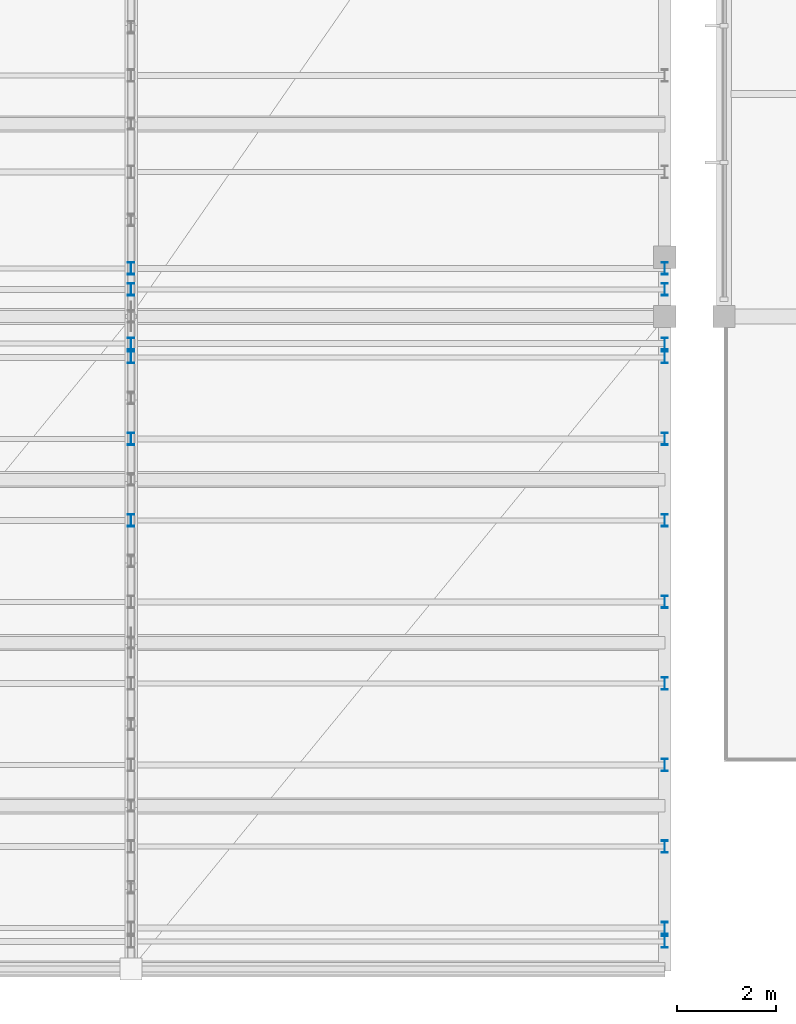
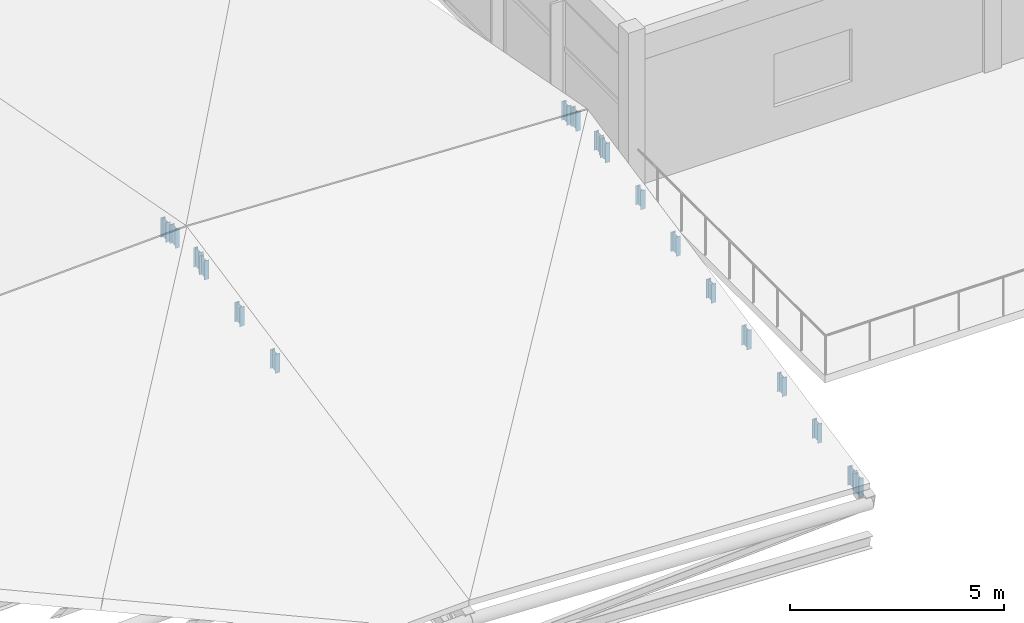
# One storey, part 53 of 89: 18 members.
"""IFC4 building model written with IfcOpenShell, lengths in metres."""

from ifc_helpers import new_model, si_unit, direction, frame, origin, origin_2d, place, context, subcontext, project, spatial, i_section, extrude, material, material_profile, profile_set, type_object, element, save


model = new_model("IFC4")

# Units and contexts
model_context = context("Model", 3, precision=1e-05, world=origin(), true_north=direction((0.0, 1.0)))
body_context = subcontext(model_context, "Body", "Model", "MODEL_VIEW")
ifc_project = project(units=[si_unit("LENGTHUNIT", "METRE"), si_unit("AREAUNIT", "SQUARE_METRE"), si_unit("VOLUMEUNIT", "CUBIC_METRE"), si_unit("PLANEANGLEUNIT", "RADIAN"), si_unit("MASSUNIT", "GRAM", prefix="KILO")], contexts=[model_context])

# Site, building, storey
site_placement = place(None, origin())
site = spatial("IfcSite", under=ifc_project, at=site_placement, CompositionType="ELEMENT")
building_placement = place(site_placement, origin())
building = spatial("IfcBuilding", under=site, at=building_placement, Name="Suirenkawa Promenade Aquatics Centre", CompositionType="ELEMENT")
storey_placement = place(building_placement, frame((0.0, 0.0, 9.60009765625)))
storey = spatial("IfcBuildingStorey", under=building, at=storey_placement, Name="L02", CompositionType="ELEMENT", Elevation=9.60009765625)

# Members
ifc_material = material(Name="Steel IS 2062 E350 (Grade 350)", Category="steel")
ifc_material_profile = material_profile(ifc_material, i_section(OverallWidth=0.125, OverallDepth=0.25, WebThickness=0.007080078125, FlangeThickness=0.012939453125, at=origin_2d()), Name="ISMB 250", Category="steel")
ifc_profile_set = profile_set([ifc_material_profile], Name="Steel IS 2062 E350 (Grade 350)")
member_type = type_object("IfcMemberType", Name="MT-WEB-CHS168", PredefinedType="BRACE", material=ifc_profile_set)
member_1_placement = place(storey_placement, frame((144.0, 9.074951171875, 1.391845703125), z_axis=(0.0, 0.0, 1.0), x_axis=(1.0, 0.0, 0.0)))
element("IfcMember", 1, at=member_1_placement, inside=storey, type_object=member_type, Name="ROOF TRUSS Purlin cleat post TD-03 MB-2838", PredefinedType="BRACE", context=body_context, shape_type="SweptSolid", body=[
    extrude(i_section(OverallWidth=0.125, OverallDepth=0.25, WebThickness=0.007080078125, FlangeThickness=0.012939453125, at=origin_2d()), origin(), (0.0, 0.0, 1.0), 0.5400390625),
])
member_2_placement = place(storey_placement, frame((144.0, 10.72509765625, 1.722900390625), z_axis=(0.0, 0.0, 1.0), x_axis=(1.0, 0.0, 0.0)))
element("IfcMember", 2, at=member_2_placement, inside=storey, type_object=member_type, Name="ROOF TRUSS Purlin cleat post TD-03 MB-2840", PredefinedType="BRACE", context=body_context, shape_type="SweptSolid", body=[
    extrude(i_section(OverallWidth=0.125, OverallDepth=0.25, WebThickness=0.007080078125, FlangeThickness=0.012939453125, at=origin_2d()), origin(), (0.0, 0.0, 1.0), 0.552001953125),
])
member_3_placement = place(storey_placement, frame((144.0, 12.375, 2.053955078125), z_axis=(0.0, 0.0, 1.0), x_axis=(1.0, 0.0, 0.0)))
element("IfcMember", 3, at=member_3_placement, inside=storey, type_object=member_type, Name="ROOF TRUSS Purlin cleat post TD-03 MB-2842", PredefinedType="BRACE", context=body_context, shape_type="SweptSolid", body=[
    extrude(i_section(OverallWidth=0.125, OverallDepth=0.25, WebThickness=0.007080078125, FlangeThickness=0.012939453125, at=origin_2d()), origin(), (0.0, 0.0, 1.0), 0.5400390625),
])
member_4_placement = place(storey_placement, frame((144.0, 12.64990234375, 2.10986328125), z_axis=(0.0, 0.0, 1.0), x_axis=(1.0, 0.0, 0.0)))
element("IfcMember", 4, at=member_4_placement, inside=storey, type_object=member_type, Name="ROOF TRUSS Purlin cleat post TD-03 MB-2844", PredefinedType="BRACE", context=body_context, shape_type="SweptSolid", body=[
    extrude(i_section(OverallWidth=0.125, OverallDepth=0.25, WebThickness=0.007080078125, FlangeThickness=0.012939453125, at=origin_2d()), origin(), (0.0, 0.0, 1.0), 0.552001953125),
])
member_5_placement = place(storey_placement, frame((144.0, 13.75, 2.115966796875), z_axis=(0.0, 0.0, 1.0), x_axis=(1.0, 0.0, 0.0)))
element("IfcMember", 5, at=member_5_placement, inside=storey, type_object=member_type, Name="ROOF TRUSS Purlin cleat post TD-03 MB-2846", PredefinedType="BRACE", context=body_context, shape_type="SweptSolid", body=[
    extrude(i_section(OverallWidth=0.125, OverallDepth=0.25, WebThickness=0.007080078125, FlangeThickness=0.012939453125, at=origin_2d()), origin(), (0.0, 0.0, 1.0), 0.541015625),
])
member_6_placement = place(storey_placement, frame((144.0, 14.175048828125, 2.035888671875), z_axis=(0.0, 0.0, 1.0), x_axis=(1.0, 0.0, 0.0)))
element("IfcMember", 6, at=member_6_placement, inside=storey, type_object=member_type, Name="ROOF TRUSS Purlin cleat post TD-03 MB-2848", PredefinedType="BRACE", context=body_context, shape_type="SweptSolid", body=[
    extrude(i_section(OverallWidth=0.125, OverallDepth=0.25, WebThickness=0.007080078125, FlangeThickness=0.012939453125, at=origin_2d()), origin(), (0.0, 0.0, 1.0), 0.552978515625),
])
member_7_placement = place(storey_placement, frame((154.800048828125, 0.550048828125, -0.77001953125), z_axis=(0.0, 0.0, 1.0), x_axis=(1.0, 0.0, 0.0)))
element("IfcMember", 7, at=member_7_placement, inside=storey, type_object=member_type, Name="ROOF TRUSS Purlin cleat post TD-03 MB-2866", PredefinedType="BRACE", context=body_context, shape_type="SweptSolid", body=[
    extrude(i_section(OverallWidth=0.125, OverallDepth=0.25, WebThickness=0.007080078125, FlangeThickness=0.012939453125, at=origin_2d()), origin(), (0.0, 0.0, 1.0), 0.552001953125),
])
member_8_placement = place(storey_placement, frame((154.800048828125, 0.824951171875, -0.714111328125), z_axis=(0.0, 0.0, 1.0), x_axis=(1.0, 0.0, 0.0)))
element("IfcMember", 8, at=member_8_placement, inside=storey, type_object=member_type, Name="ROOF TRUSS Purlin cleat post TD-03 MB-2868", PredefinedType="BRACE", context=body_context, shape_type="SweptSolid", body=[
    extrude(i_section(OverallWidth=0.125, OverallDepth=0.25, WebThickness=0.007080078125, FlangeThickness=0.012939453125, at=origin_2d()), origin(), (0.0, 0.0, 1.0), 0.5400390625),
])
member_9_placement = place(storey_placement, frame((154.800048828125, 2.47509765625, -0.383056640625), z_axis=(0.0, 0.0, 1.0), x_axis=(1.0, 0.0, 0.0)))
element("IfcMember", 9, at=member_9_placement, inside=storey, type_object=member_type, Name="ROOF TRUSS Purlin cleat post TD-03 MB-2870", PredefinedType="BRACE", context=body_context, shape_type="SweptSolid", body=[
    extrude(i_section(OverallWidth=0.125, OverallDepth=0.25, WebThickness=0.007080078125, FlangeThickness=0.012939453125, at=origin_2d()), origin(), (0.0, 0.0, 1.0), 0.552001953125),
])
member_10_placement = place(storey_placement, frame((154.800048828125, 4.125, -0.052001953125), z_axis=(0.0, 0.0, 1.0), x_axis=(1.0, 0.0, 0.0)))
element("IfcMember", 10, at=member_10_placement, inside=storey, type_object=member_type, Name="ROOF TRUSS Purlin cleat post TD-03 MB-2872", PredefinedType="BRACE", context=body_context, shape_type="SweptSolid", body=[
    extrude(i_section(OverallWidth=0.125, OverallDepth=0.25, WebThickness=0.007080078125, FlangeThickness=0.012939453125, at=origin_2d()), origin(), (0.0, 0.0, 1.0), 0.539794921875),
])
member_11_placement = place(storey_placement, frame((154.800048828125, 5.77490234375, 0.27880859375), z_axis=(0.0, 0.0, 1.0), x_axis=(1.0, 0.0, 0.0)))
element("IfcMember", 11, at=member_11_placement, inside=storey, type_object=member_type, Name="ROOF TRUSS Purlin cleat post TD-03 MB-2874", PredefinedType="BRACE", context=body_context, shape_type="SweptSolid", body=[
    extrude(i_section(OverallWidth=0.125, OverallDepth=0.25, WebThickness=0.007080078125, FlangeThickness=0.012939453125, at=origin_2d()), origin(), (0.0, 0.0, 1.0), 0.552001953125),
])
member_12_placement = place(storey_placement, frame((154.800048828125, 7.425048828125, 0.61083984375), z_axis=(0.0, 0.0, 1.0), x_axis=(1.0, 0.0, 0.0)))
element("IfcMember", 12, at=member_12_placement, inside=storey, type_object=member_type, Name="ROOF TRUSS Purlin cleat post TD-03 MB-2876", PredefinedType="BRACE", context=body_context, shape_type="SweptSolid", body=[
    extrude(i_section(OverallWidth=0.125, OverallDepth=0.25, WebThickness=0.007080078125, FlangeThickness=0.012939453125, at=origin_2d()), origin(), (0.0, 0.0, 1.0), 0.5400390625),
])
member_13_placement = place(storey_placement, frame((154.800048828125, 9.074951171875, 0.94189453125), z_axis=(0.0, 0.0, 1.0), x_axis=(1.0, 0.0, 0.0)))
element("IfcMember", 13, at=member_13_placement, inside=storey, type_object=member_type, Name="ROOF TRUSS Purlin cleat post TD-03 MB-2878", PredefinedType="BRACE", context=body_context, shape_type="SweptSolid", body=[
    extrude(i_section(OverallWidth=0.125, OverallDepth=0.25, WebThickness=0.007080078125, FlangeThickness=0.012939453125, at=origin_2d()), origin(), (0.0, 0.0, 1.0), 0.552001953125),
])
member_14_placement = place(storey_placement, frame((154.800048828125, 10.72509765625, 1.27294921875), z_axis=(0.0, 0.0, 1.0), x_axis=(1.0, 0.0, 0.0)))
element("IfcMember", 14, at=member_14_placement, inside=storey, type_object=member_type, Name="ROOF TRUSS Purlin cleat post TD-03 MB-2880", PredefinedType="BRACE", context=body_context, shape_type="SweptSolid", body=[
    extrude(i_section(OverallWidth=0.125, OverallDepth=0.25, WebThickness=0.007080078125, FlangeThickness=0.012939453125, at=origin_2d()), origin(), (0.0, 0.0, 1.0), 0.5400390625),
])
member_15_placement = place(storey_placement, frame((154.800048828125, 12.375, 1.60400390625), z_axis=(0.0, 0.0, 1.0), x_axis=(1.0, 0.0, 0.0)))
element("IfcMember", 15, at=member_15_placement, inside=storey, type_object=member_type, Name="ROOF TRUSS Purlin cleat post TD-03 MB-2882", PredefinedType="BRACE", context=body_context, shape_type="SweptSolid", body=[
    extrude(i_section(OverallWidth=0.125, OverallDepth=0.25, WebThickness=0.007080078125, FlangeThickness=0.012939453125, at=origin_2d()), origin(), (0.0, 0.0, 1.0), 0.552001953125),
])
member_16_placement = place(storey_placement, frame((154.800048828125, 12.64990234375, 1.659912109375), z_axis=(0.0, 0.0, 1.0), x_axis=(1.0, 0.0, 0.0)))
element("IfcMember", 16, at=member_16_placement, inside=storey, type_object=member_type, Name="ROOF TRUSS Purlin cleat post TD-03 MB-2884", PredefinedType="BRACE", context=body_context, shape_type="SweptSolid", body=[
    extrude(i_section(OverallWidth=0.125, OverallDepth=0.25, WebThickness=0.007080078125, FlangeThickness=0.012939453125, at=origin_2d()), origin(), (0.0, 0.0, 1.0), 0.5400390625),
])
member_17_placement = place(storey_placement, frame((154.800048828125, 13.75, 1.666015625), z_axis=(0.0, 0.0, 1.0), x_axis=(1.0, 0.0, 0.0)))
element("IfcMember", 17, at=member_17_placement, inside=storey, type_object=member_type, Name="ROOF TRUSS Purlin cleat post TD-03 MB-2886", PredefinedType="BRACE", context=body_context, shape_type="SweptSolid", body=[
    extrude(i_section(OverallWidth=0.125, OverallDepth=0.25, WebThickness=0.007080078125, FlangeThickness=0.012939453125, at=origin_2d()), origin(), (0.0, 0.0, 1.0), 0.552978515625),
])
member_18_placement = place(storey_placement, frame((154.800048828125, 14.175048828125, 1.5859375), z_axis=(0.0, 0.0, 1.0), x_axis=(1.0, 0.0, 0.0)))
element("IfcMember", 18, at=member_18_placement, inside=storey, type_object=member_type, Name="ROOF TRUSS Purlin cleat post TD-03 MB-2888", PredefinedType="BRACE", context=body_context, shape_type="SweptSolid", body=[
    extrude(i_section(OverallWidth=0.125, OverallDepth=0.25, WebThickness=0.007080078125, FlangeThickness=0.012939453125, at=origin_2d()), origin(), (0.0, 0.0, 1.0), 0.541015625),
])

save(model, "model.ifc")
